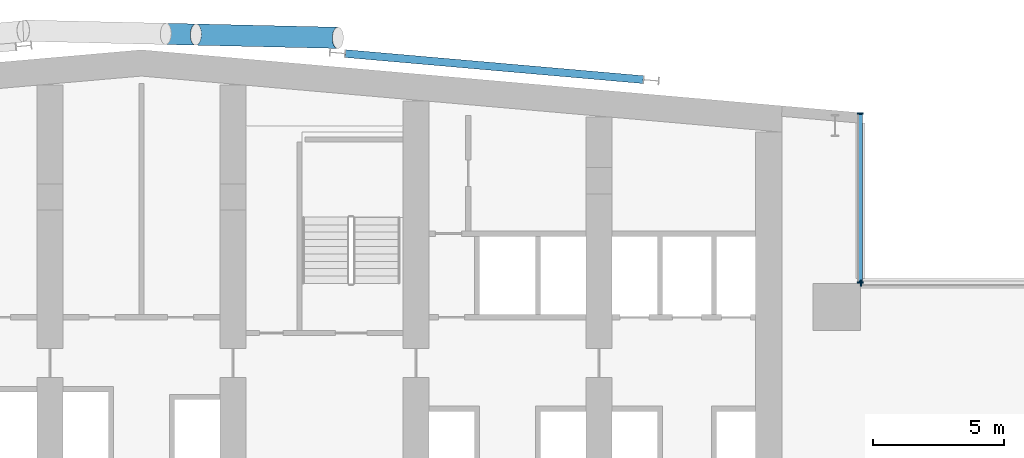
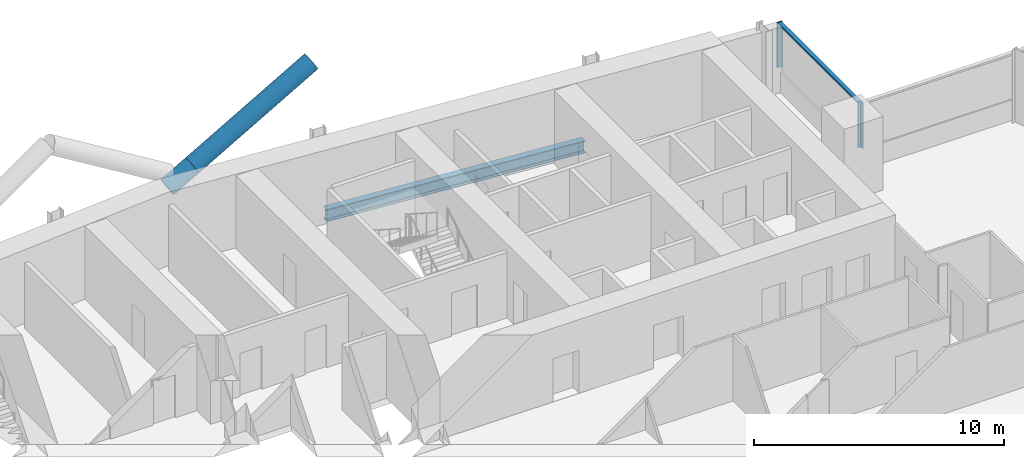
# One storey, part 9 of 31: 6 members, 1 beam, 2 elements without a shape of their own.
"""IFC4 building model written with IfcOpenShell, lengths in metres."""

from ifc_helpers import new_model, si_unit, direction, frame, origin, origin_2d, place, context, subcontext, project, spatial, rectangle, hollow_circle, i_section, extrude, material, material_profile, profile_set, type_object, element, aggregate, save


model = new_model("IFC4")

# Units and contexts
model_context = context("Model", 3, precision=1e-05, world=origin(), true_north=direction((0.0, 1.0)))
body_context = subcontext(model_context, "Body", "Model", "MODEL_VIEW")
ifc_project = project(units=[si_unit("LENGTHUNIT", "METRE"), si_unit("AREAUNIT", "SQUARE_METRE"), si_unit("VOLUMEUNIT", "CUBIC_METRE"), si_unit("PLANEANGLEUNIT", "RADIAN"), si_unit("MASSUNIT", "GRAM", prefix="KILO")], contexts=[model_context])

# Site, building, storey
site_placement = place(None, origin())
site = spatial("IfcSite", under=ifc_project, at=site_placement, CompositionType="ELEMENT")
building_placement = place(site_placement, origin())
building = spatial("IfcBuilding", under=site, at=building_placement, Name="Wharfspan Tower", CompositionType="ELEMENT")
storey_placement = place(building_placement, frame((0.0, 0.0, 103.899902)))
storey = spatial("IfcBuildingStorey", under=building, at=storey_placement, Name="L23", CompositionType="ELEMENT", Elevation=103.899902)

# Member
ifc_material_1 = material(Name="Steel S460NH", Category="steel")
ifc_material_profile_1 = material_profile(ifc_material_1, hollow_circle(Radius=0.406494, WallThickness=0.040039, at=origin_2d()))
ifc_profile_set_1 = profile_set([ifc_material_profile_1], Name="Steel S460NH")
member_type_1 = type_object("IfcMemberType", Name="Brace node tie CHS 813x40", PredefinedType="STRUT", material=ifc_profile_set_1)
member_1_placement = place(storey_placement, frame((41.443604, 51.54126, 2.558594), z_axis=(0.857343, -0.019677, 0.514369), x_axis=(0.022944, 0.999741, 2e-06)))
element("IfcMember", 1, at=member_1_placement, inside=storey, type_object=member_type_1, Name="Brace node tie L23 N7", PredefinedType="STRUT", context=body_context, shape_type="SweptSolid", body=[
    extrude(hollow_circle(Radius=0.406494, WallThickness=0.040039, at=origin_2d()), origin(), (0.0, 0.0, 1.0), 1.327637),
])

# Beam
ifc_material_2 = material(Name="Steel S355J2", Category="steel")
ifc_material_profile_2 = material_profile(ifc_material_2, i_section(OverallWidth=0.300049, OverallDepth=0.600098, WebThickness=0.015381, FlangeThickness=0.030029, FilletRadius=0.0271, at=origin_2d()))
ifc_profile_set_2 = profile_set([ifc_material_profile_2], Name="Steel S355J2")
beam_type = type_object("IfcBeamType", Name="Edge beam HEB 600", PredefinedType="SPANDREL", material=ifc_profile_set_2)
beam_placement = place(storey_placement, frame((59.695068, 49.791504, -0.699951), z_axis=(-0.996194, 0.087162, 0.0), x_axis=(-0.087162, -0.996194, 0.0)))
element("IfcBeam", 2, at=beam_placement, inside=storey, type_object=beam_type, Name="Edge beam N2 L23 R.4 to R.3", PredefinedType="SPANDREL", context=body_context, shape_type="SweptSolid", body=[
    extrude(i_section(OverallWidth=0.300049, OverallDepth=0.600098, WebThickness=0.015381, FlangeThickness=0.030029, FilletRadius=0.0271, at=origin_2d()), origin(), (0.0, 0.0, 1.0), 11.433594),
])

# Curtain wall, member
ifc_material_3 = material(Name="Aluminium 6063-T6", Category="aluminium")
curtain_wall_type = type_object("IfcCurtainWallType", Name="CURTAIN WALL PROW AND END", PredefinedType="NOTDEFINED", material=ifc_material_3)
curtain_wall_1_placement = place(storey_placement, origin())
curtain_wall_1 = element("IfcCurtainWall", 3, at=curtain_wall_1_placement, inside=storey, type_object=curtain_wall_type, Name="Curtain wall NRE-H", PredefinedType="NOTDEFINED")
ifc_material_profile_3 = material_profile(ifc_material_3, rectangle(XDim=0.23999, YDim=0.060059, at=origin_2d()))
ifc_profile_set_3 = profile_set([ifc_material_profile_3], Name="Aluminium 6063-T6")
member_type_2 = type_object("IfcMemberType", Name="MULLION PROW AND END 60x240", PredefinedType="MULLION", material=ifc_profile_set_3)
member_2_placement = place(storey_placement, frame((68.030029, 42.0, 1.0), z_axis=(0.0, 0.0, 1.0), x_axis=(0.0, -1.0, 0.0)))
member_2 = element("IfcMember", 4, at=member_2_placement, type_object=member_type_2, Name="Curtain wall NRE-H mullion 2", PredefinedType="MULLION", context=body_context, shape_type="SweptSolid", body=[
    extrude(rectangle(XDim=0.23999, YDim=0.060059, at=origin_2d()), origin(), (0.0, 0.0, 1.0), 2.200195),
])
aggregate(curtain_wall_1, [member_2])

# Curtain wall, members
curtain_wall_2_placement = place(storey_placement, origin())
curtain_wall_2 = element("IfcCurtainWall", 5, at=curtain_wall_2_placement, inside=storey, type_object=curtain_wall_type, Name="Curtain wall NRE-V", PredefinedType="NOTDEFINED")
member_3_placement = place(storey_placement, frame((68.0, 42.030029, 1.0), z_axis=(0.0, 0.0, 1.0), x_axis=(-1.0, 0.0, 0.0)))
member_3 = element("IfcMember", 6, at=member_3_placement, type_object=member_type_2, Name="Curtain wall NRE-V mullion 1", PredefinedType="MULLION", context=body_context, shape_type="SweptSolid", body=[
    extrude(rectangle(XDim=0.23999, YDim=0.060059, at=origin_2d()), origin(), (0.0, 0.0, 1.0), 2.200195),
])
member_4_placement = place(storey_placement, frame((68.0, 48.494873, 1.0), z_axis=(0.0, 0.0, 1.0), x_axis=(-1.0, 0.0, 0.0)))
member_4 = element("IfcMember", 7, at=member_4_placement, type_object=member_type_2, Name="Curtain wall NRE-V mullion 2", PredefinedType="MULLION", context=body_context, shape_type="SweptSolid", body=[
    extrude(rectangle(XDim=0.23999, YDim=0.060059, at=origin_2d()), origin(), (0.0, 0.0, 1.0), 2.200195),
])

# Member
ifc_material_profile_4 = material_profile(ifc_material_1, hollow_circle(Radius=0.406494, WallThickness=0.040039, at=origin_2d()))
ifc_profile_set_4 = profile_set([ifc_material_profile_4], Name="Steel S460NH")
member_type_3 = type_object("IfcMemberType", Name="Mega brace CHS 813x40", PredefinedType="BRACE", material=ifc_profile_set_4)
member_5_placement = place(storey_placement, frame((42.590332, 51.514893, 3.246582), z_axis=(0.857327, -0.019686, 0.514396), x_axis=(0.022956, 0.999736, 0.0)))
element("IfcMember", 8, at=member_5_placement, inside=storey, type_object=member_type_3, Name="Mega brace N7 L23 part 2", PredefinedType="BRACE", context=body_context, shape_type="SweptSolid", body=[
    extrude(hollow_circle(Radius=0.406494, WallThickness=0.040039, at=origin_2d()), origin(), (0.0, 0.0, 1.0), 6.324707),
])

ifc_material_profile_5 = material_profile(ifc_material_3, rectangle(XDim=0.179932, YDim=0.080078, at=origin_2d()))
ifc_profile_set_5 = profile_set([ifc_material_profile_5], Name="Aluminium 6063-T6")
member_type_4 = type_object("IfcMemberType", Name="TRANSOM PROW AND END 80x180", PredefinedType="USERDEFINED", material=ifc_profile_set_5)
member_6_placement = place(storey_placement, frame((68.0, 42.060059, 3.160156), z_axis=(0.0, 1.0, 0.0), x_axis=(-1.0, 0.0, 0.0)))
member_6 = element("IfcMember", 9, at=member_6_placement, type_object=member_type_4, Name="Curtain wall NRE-V transom 1", ObjectType="TRANSOM", PredefinedType="USERDEFINED", context=body_context, shape_type="SweptSolid", body=[
    extrude(rectangle(XDim=0.179932, YDim=0.080078, at=origin_2d()), origin(), (0.0, 0.0, 1.0), 6.404785),
])

aggregate(curtain_wall_2, [member_3, member_4, member_6])

save(model, "model.ifc")
